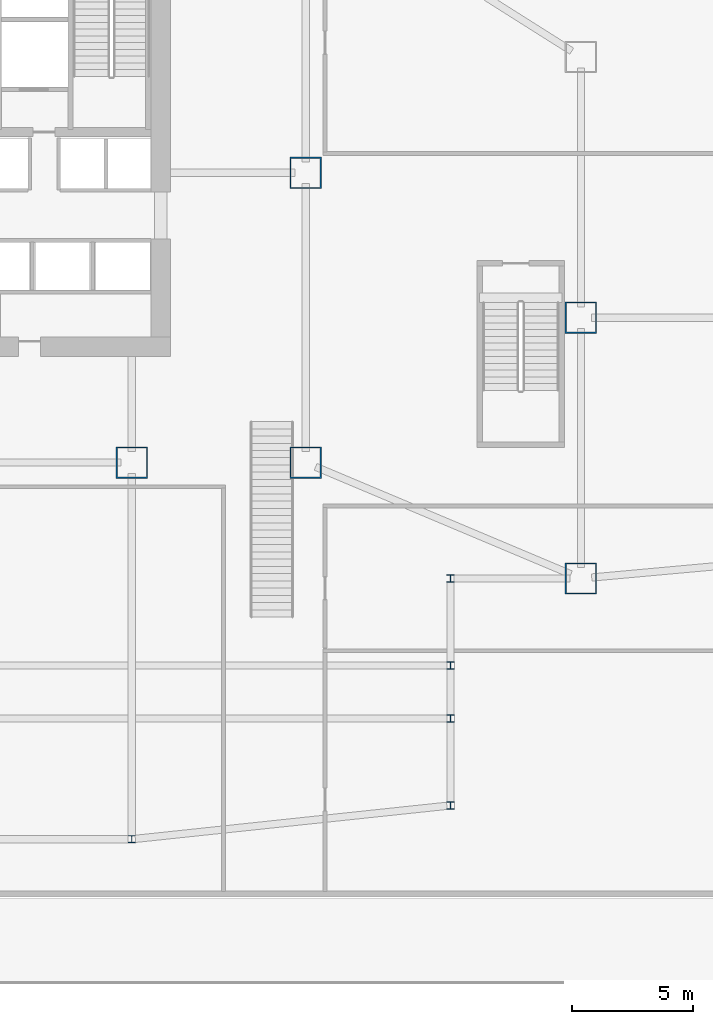
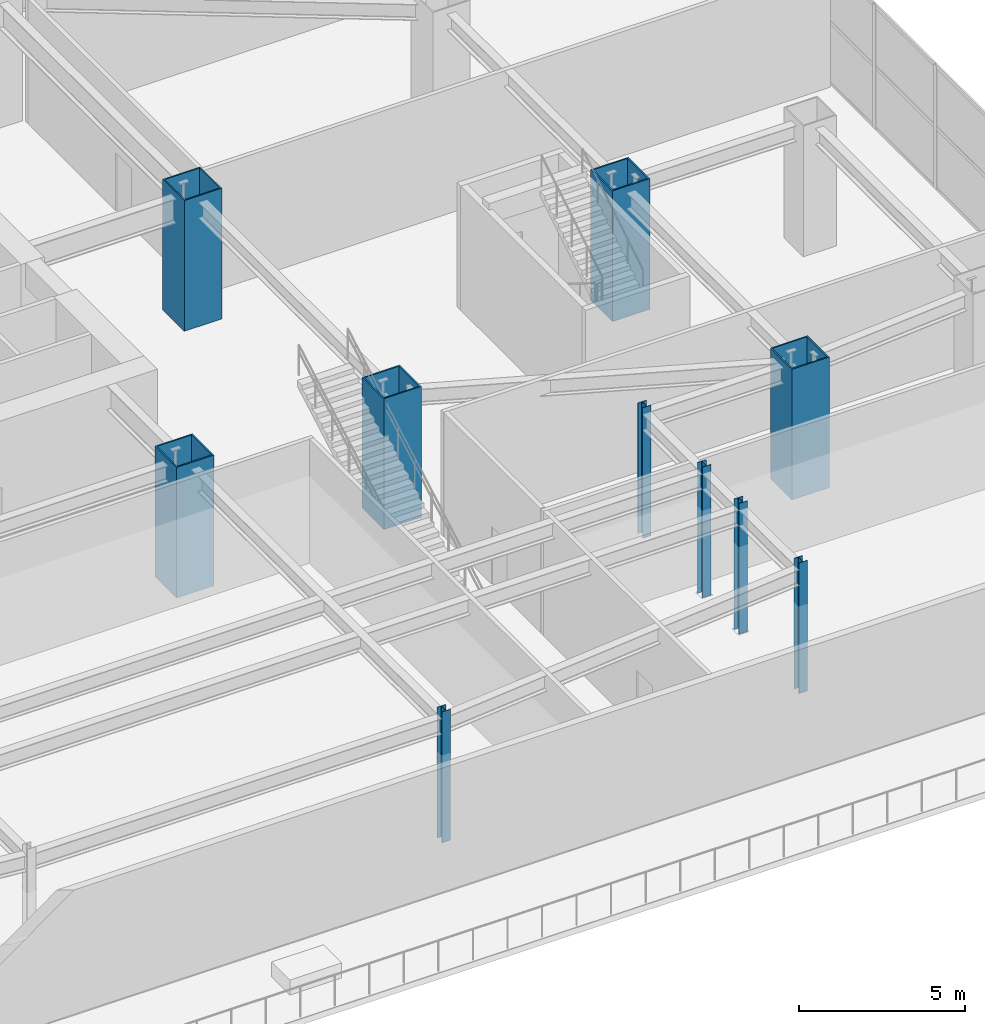
# One storey, part 2 of 31: 10 columns.
"""IFC4 building model written with IfcOpenShell, lengths in metres."""

from ifc_helpers import new_model, si_unit, direction, frame, origin, origin_2d, place, context, subcontext, project, spatial, hollow_rectangle, i_section, extrude, material, material_profile, profile_set, type_object, element, save


model = new_model("IFC4")

# Units and contexts
model_context = context("Model", 3, precision=1e-05, world=origin(), true_north=direction((0.0, 1.0)))
body_context = subcontext(model_context, "Body", "Model", "MODEL_VIEW")
ifc_project = project(units=[si_unit("LENGTHUNIT", "METRE"), si_unit("AREAUNIT", "SQUARE_METRE"), si_unit("VOLUMEUNIT", "CUBIC_METRE"), si_unit("PLANEANGLEUNIT", "RADIAN"), si_unit("MASSUNIT", "GRAM", prefix="KILO")], contexts=[model_context])

# Site, building, storey
site_placement = place(None, origin())
site = spatial("IfcSite", under=ifc_project, at=site_placement, CompositionType="ELEMENT")
building_placement = place(site_placement, origin())
building = spatial("IfcBuilding", under=site, at=building_placement, Name="Haolan Belvedere Tower", CompositionType="ELEMENT")
storey_placement = place(building_placement, frame((0.0, 0.0, 5.39990234375)))
storey = spatial("IfcBuildingStorey", under=building, at=storey_placement, Name="L01", CompositionType="ELEMENT", Elevation=5.39990234375)

# Columns
ifc_material = material(Name="Steel Q355B", Category="steel")
ifc_material_profile_1 = material_profile(ifc_material, hollow_rectangle(XDim=1.300048828125, YDim=1.300048828125, WallThickness=0.048095703125, at=origin_2d()), Name="Steel Q355B")
ifc_profile_set_1 = profile_set([ifc_material_profile_1], Name="Steel Q355B")
column_type_1 = type_object("IfcColumnType", Name="COL-BOX1300x1300x48", PredefinedType="COLUMN", material=ifc_profile_set_1)
for number, where, z_axis, x_axis, name in (
    (1, (52.800048828125, 21.60009765625, 0.0), (0.0, 0.0, 1.0), (1.0, 0.0, 0.0), "L01 column MC-T3-SE (BOX1300x1300x48)"),
    (2, (52.800048828125, 33.60009765625, 0.0), (0.0, 0.0, 1.0), (1.0, 0.0, 0.0), "L01 column MC-T3-ME (BOX1300x1300x48)"),
    (3, (45.60009765625, 21.60009765625, 0.0), (0.0, 0.0, 1.0), (1.0, 0.0, 0.0), "L01 column MC-T3-S2 (BOX1300x1300x48)"),
    (4, (64.199951171875, 16.800048828125, 0.0), (0.0, 0.0, 1.0), (1.0, 0.0, 0.0), "L01 column MC-T4-SE (BOX1300x1300x48)"),
    (5, (64.199951171875, 27.60009765625, 0.0), (0.0, 0.0, 1.0), (1.0, 0.0, 0.0), "L01 column MC-T4-ME (BOX1300x1300x48)"),
):
    element("IfcColumn", number, at=place(storey_placement, frame(where, z_axis=z_axis, x_axis=x_axis)), inside=storey, type_object=column_type_1, Name=name, PredefinedType="COLUMN", context=body_context, shape_type="SweptSolid", body=[
        extrude(hollow_rectangle(XDim=1.300048828125, YDim=1.300048828125, WallThickness=0.048095703125, at=origin_2d()), origin(), (0.0, 0.0, 1.0), 4.800048828125),
    ])
ifc_material_profile_2 = material_profile(ifc_material, i_section(OverallWidth=0.300048828125, OverallDepth=0.300048828125, WebThickness=0.010009765625, FlangeThickness=0.014892578125, FilletRadius=0.01806640625, at=origin_2d()), Name="Steel Q355B")
ifc_profile_set_2 = profile_set([ifc_material_profile_2], Name="Steel Q355B")
column_type_2 = type_object("IfcColumnType", Name="COL-HW300x300x10x15", PredefinedType="COLUMN", material=ifc_profile_set_2)
for number, where, z_axis, x_axis, name in (
    (6, (58.800048828125, 7.39990234375, 0.0), (0.0, 0.0, 1.0), (1.0, 0.0, 0.0), "L01 column PC-SE-1 (HW300x300x10x15)"),
    (7, (45.60009765625, 6.0, 0.0), (0.0, 0.0, 1.0), (1.0, 0.0, 0.0), "L01 column PC-SM-2 (HW300x300x10x15)"),
    (8, (58.800048828125, 11.0, 0.0), (0.0, 0.0, 1.0), (1.0, 0.0, 0.0), "L01 column PC-CS2-E (HW300x300x10x15)"),
    (9, (58.800048828125, 13.199951171875, 0.0), (0.0, 0.0, 1.0), (1.0, 0.0, 0.0), "L01 column PC-CS3-E (HW300x300x10x15)"),
    (10, (58.800048828125, 16.800048828125, 0.0), (0.0, 0.0, 1.0), (1.0, 0.0, 0.0), "L01 column PC-CS4-E (HW300x300x10x15)"),
):
    element("IfcColumn", number, at=place(storey_placement, frame(where, z_axis=z_axis, x_axis=x_axis)), inside=storey, type_object=column_type_2, Name=name, PredefinedType="COLUMN", context=body_context, shape_type="SweptSolid", body=[
        extrude(i_section(OverallWidth=0.300048828125, OverallDepth=0.300048828125, WebThickness=0.010009765625, FlangeThickness=0.014892578125, FilletRadius=0.01806640625, at=origin_2d()), origin(), (0.0, 0.0, 1.0), 4.800048828125),
    ])

save(model, "model.ifc")
